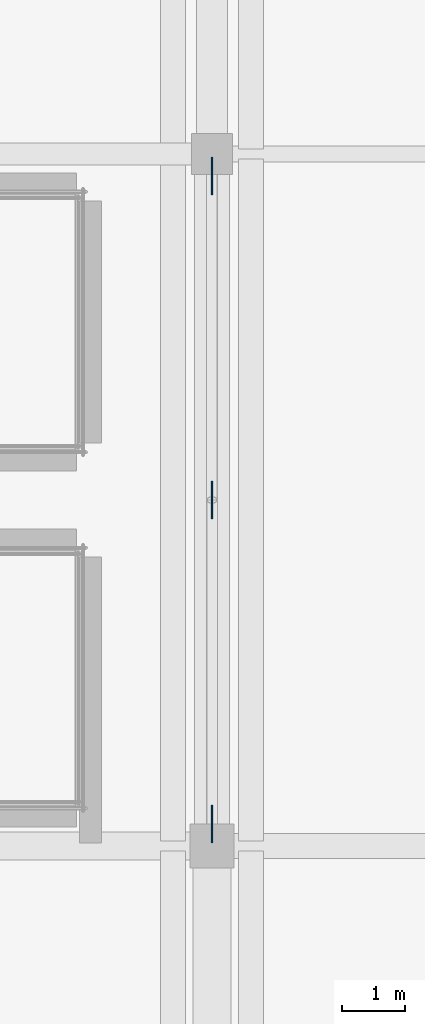
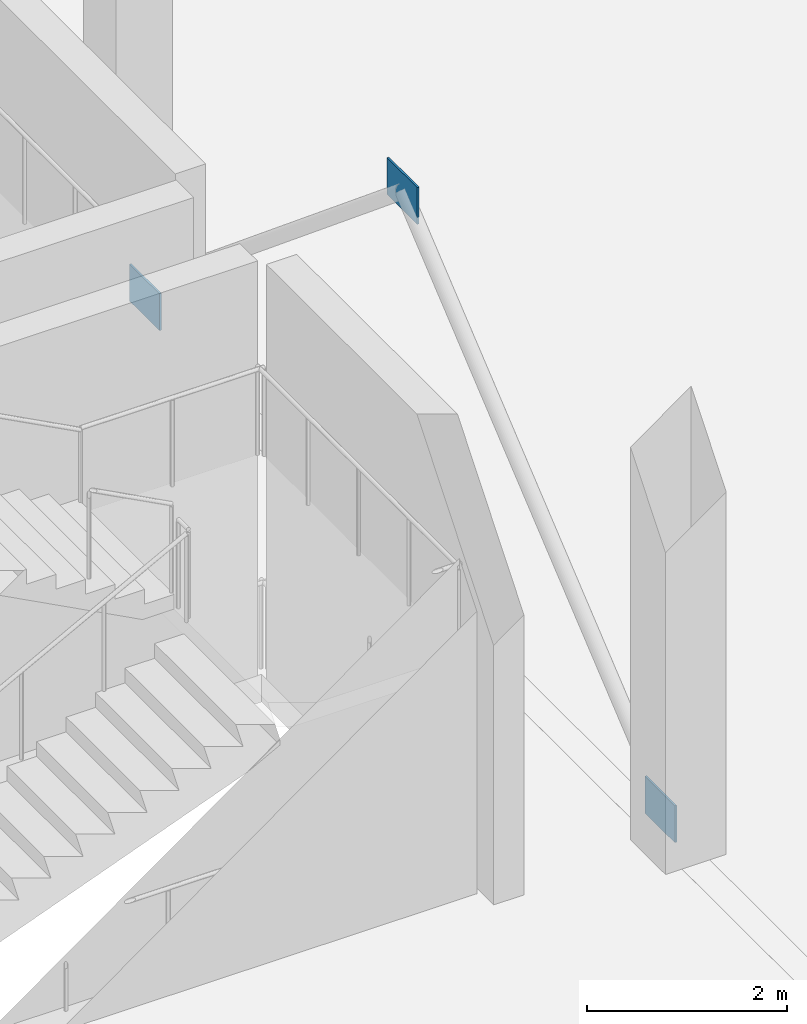
# One storey, part 54 of 120: 3 plates.
"""IFC4 building model written with IfcOpenShell, lengths in metres."""

import ifcopenshell
import ifcopenshell.guid

model = None  # the IFC model being written
_history = None  # IfcOwnerHistory: only IFC2X3 demands one
_inside = {}  # id of a spatial element -> (the spatial element, [elements in it])
_under = {}  # id of a project, library or spatial element -> (it, [spatial elements below it])
_declared = {}  # id of a project -> (the project, [libraries it declares])
_typed = {}  # id of a type object -> (the type object, [elements of that type])
_made_of = {}  # id of a material, layer set ... -> (it, [elements and type objects made of it])


def new_model(schema):
    """Start an empty IFC model of exactly this schema.

    Asked for "IFC4X3", IfcOpenShell would pick the latest addendum, in which some entities
    have other attributes; the version numbers below select the first issue.
    IFC2X3 requires an IfcOwnerHistory on every rooted entity: one is made here for all.
    """
    global model, _history
    if schema == "IFC4X3":
        model = ifcopenshell.file(schema_version=(4, 3, 0, 0))
    else:
        model = ifcopenshell.file(schema=schema)
    _inside.clear()
    _under.clear()
    _declared.clear()
    _typed.clear()
    _made_of.clear()
    _history = None
    if model.schema == "IFC2X3":
        org = make("IfcOrganization", Name="unknown")
        user = make(
            "IfcPersonAndOrganization",
            ThePerson=make("IfcPerson", FamilyName="unknown"),
            TheOrganization=org,
        )
        app = make(
            "IfcApplication",
            ApplicationDeveloper=org,
            Version="unknown",
            ApplicationFullName="unknown",
            ApplicationIdentifier="unknown",
        )
        _history = make(
            "IfcOwnerHistory",
            OwningUser=user,
            OwningApplication=app,
            ChangeAction="ADDED",
            CreationDate=0,
        )
    return model


def make(cls, **values):
    """One entity of the class cls with the attributes given. An attribute that is None is left unset."""
    return model.create_entity(
        cls, **{name: value for name, value in values.items() if value is not None}
    )


def rooted(cls, **values):
    """An entity with a GlobalId (a new one), such as an element, a storey or a relation."""
    return make(cls, GlobalId=ifcopenshell.guid.new(), OwnerHistory=_history, **values)


def si_unit(unit_type, name, prefix=None):
    """IfcSIUnit, for example si_unit("LENGTHUNIT", "METRE", prefix="MILLI")."""
    return make("IfcSIUnit", UnitType=unit_type, Prefix=prefix, Name=name)


def assignment(units):
    """IfcUnitAssignment: the units of a project."""
    return None if units is None else make("IfcUnitAssignment", Units=units)


def point(xyz):
    """IfcCartesianPoint."""
    return None if xyz is None else make("IfcCartesianPoint", Coordinates=xyz)


def direction(xyz):
    """IfcDirection."""
    return None if xyz is None else make("IfcDirection", DirectionRatios=xyz)


def frame(location, z_axis=None, x_axis=None):
    """IfcAxis2Placement3D, a coordinate frame: its origin and axes. An axis left out is left unset."""
    return make(
        "IfcAxis2Placement3D",
        Location=point(location),
        Axis=direction(z_axis),
        RefDirection=direction(x_axis),
    )


def frame_2d(location, x_axis=None):
    """IfcAxis2Placement2D, a coordinate frame in the plane: its origin and x axis."""
    return make(
        "IfcAxis2Placement2D", Location=point(location), RefDirection=direction(x_axis)
    )


def origin():
    """The frame at (0, 0, 0) with its axes left unset."""
    return frame((0.0, 0.0, 0.0))


def origin_2d():
    """The frame at (0, 0) in the plane with its x axis left unset."""
    return frame_2d((0.0, 0.0))


def place(relative_to, where):
    """IfcLocalPlacement: puts the frame where relative to a parent placement (None: the world)."""
    return make(
        "IfcLocalPlacement", PlacementRelTo=relative_to, RelativePlacement=where
    )


def context(
    kind, dimensions, precision=None, world=None, true_north=None, identifier=None
):
    """IfcGeometricRepresentationContext, for example the 3D "Model" context."""
    return make(
        "IfcGeometricRepresentationContext",
        ContextIdentifier=identifier,
        ContextType=kind,
        CoordinateSpaceDimension=dimensions,
        Precision=precision,
        WorldCoordinateSystem=world,
        TrueNorth=true_north,
    )


def subcontext(parent, identifier, kind, view, scale=None):
    """IfcGeometricRepresentationSubContext, for example "Body" below "Model"."""
    return make(
        "IfcGeometricRepresentationSubContext",
        ContextIdentifier=identifier,
        ContextType=kind,
        ParentContext=parent,
        TargetScale=scale,
        TargetView=view,
    )


def project(units=None, contexts=None):
    """IfcProject with its units and contexts."""
    return rooted(
        "IfcProject",
        Name="project",
        RepresentationContexts=contexts,
        UnitsInContext=assignment(units),
    )


def spatial(cls, under=None, at=None, **own):
    """A site, building, storey or space (cls), placed at a placement, below another one or the project."""
    s = rooted(cls, ObjectPlacement=at, **own)
    if under is not None:
        _under.setdefault(under.id(), (under, []))[1].append(s)
    return s


def profile(cls, at=None, kind="AREA", **sizes):
    """A parametric profile (cls). Its sizes go by their IFC names, for example OverallWidth=200.0."""
    return make(cls, ProfileType=kind, Position=at, **sizes)


def rectangle(**sizes):
    """IfcRectangleProfileDef."""
    return profile("IfcRectangleProfileDef", **sizes)


def extrude(swept, where, along, depth):
    """IfcExtrudedAreaSolid: the profile swept, set in the frame where, extruded along a direction by depth."""
    return make(
        "IfcExtrudedAreaSolid",
        SweptArea=swept,
        Position=where,
        ExtrudedDirection=direction(along),
        Depth=depth,
    )


def shape(context_of_items, identifier, shape_type, items):
    """IfcShapeRepresentation: the items that make up one representation, for example the "Body"."""
    return make(
        "IfcShapeRepresentation",
        ContextOfItems=context_of_items,
        RepresentationIdentifier=identifier,
        RepresentationType=shape_type,
        Items=items,
    )


def material(Name=None, Category=None):
    """IfcMaterial."""
    return make("IfcMaterial", Name=Name, Category=Category)


def layer(
    of_material, thickness, ventilated=None, Name=None, Category=None, Priority=None
):
    """IfcMaterialLayer: one layer of a wall or slab, of a material (None: an air gap)."""
    return make(
        "IfcMaterialLayer",
        Material=of_material,
        LayerThickness=thickness,
        IsVentilated=ventilated,
        Name=Name,
        Category=Category,
        Priority=Priority,
    )


def layer_set(layers, Name=None):
    """IfcMaterialLayerSet."""
    return make("IfcMaterialLayerSet", MaterialLayers=layers, LayerSetName=Name)


def made_of(thing, what):
    """Note that an element or type object is made of a material, layer set ...; save() writes the relation."""
    if what is not None:
        _made_of.setdefault(what.id(), (what, []))[1].append(thing)
    return thing


def type_object(cls, material=None, **own):
    """A type object (cls), such as IfcWallType, which elements share."""
    return made_of(rooted(cls, **own), material)


def element(
    cls,
    number,
    at=None,
    inside=None,
    cuts=None,
    type_object=None,
    material=None,
    context=None,
    identifier="Body",
    shape_type=None,
    held_by="IfcProductDefinitionShape",
    body=None,
    shapes=None,
    **own,
):
    """One element of the class cls, such as IfcWall. Its Tag is "e" and its number.

    at: its placement. inside: the storey or other place that contains it. cuts: it is an
    opening in that element (IfcRelVoidsElement). A single representation is given by context,
    identifier, shape_type and body (its items); several are given by shapes. held_by: the class
    of the entity that holds the representations. save() writes the other relations.
    """
    e = rooted(cls, Tag="e%d" % number, ObjectPlacement=at, **own)
    if body is not None:
        shapes = [shape(context, identifier, shape_type, body)]
    if shapes is not None:
        e.Representation = make(held_by, Representations=shapes)
    if inside is not None:
        _inside.setdefault(inside.id(), (inside, []))[1].append(e)
    if cuts is not None:
        rooted(
            "IfcRelVoidsElement", RelatingBuildingElement=cuts, RelatedOpeningElement=e
        )
    if type_object is not None:
        _typed.setdefault(type_object.id(), (type_object, []))[1].append(e)
    return made_of(e, material)


def aggregate(whole, parts):
    """IfcRelAggregates: a whole, such as a stair, and the parts it consists of."""
    return rooted("IfcRelAggregates", RelatingObject=whole, RelatedObjects=parts)


def save(model, path):
    """Write the relations noted so far, then the file.

    IfcRelAggregates (storeys below a building ...), IfcRelContainedInSpatialStructure (elements
    in a storey), IfcRelDefinesByType, IfcRelAssociatesMaterial and IfcRelDeclares: one each for
    every whole, place, type object, material and project.
    """
    for whole, parts in _under.values():
        aggregate(whole, parts)
    for where, things in _inside.values():
        rooted(
            "IfcRelContainedInSpatialStructure",
            RelatedElements=things,
            RelatingStructure=where,
        )
    for kind, things in _typed.values():
        rooted("IfcRelDefinesByType", RelatedObjects=things, RelatingType=kind)
    for what, things in _made_of.values():
        rooted("IfcRelAssociatesMaterial", RelatedObjects=things, RelatingMaterial=what)
    for by, libraries in _declared.values():
        rooted("IfcRelDeclares", RelatingContext=by, RelatedDefinitions=libraries)
    model.write(path)


model = new_model("IFC4")

# Units and contexts
model_context = context("Model", 3, precision=1e-05, world=origin(), true_north=direction((0.0, 1.0)))
body_context = subcontext(model_context, "Body", "Model", "MODEL_VIEW")
ifc_project = project(units=[si_unit("LENGTHUNIT", "METRE"), si_unit("AREAUNIT", "SQUARE_METRE"), si_unit("VOLUMEUNIT", "CUBIC_METRE"), si_unit("PLANEANGLEUNIT", "RADIAN"), si_unit("MASSUNIT", "GRAM", prefix="KILO")], contexts=[model_context])

# Site, building, storey
site_placement = place(None, origin())
site = spatial("IfcSite", under=ifc_project, at=site_placement, CompositionType="ELEMENT")
building_placement = place(site_placement, origin())
building = spatial("IfcBuilding", under=site, at=building_placement, Name="Luwafu Chhajja Arena", CompositionType="ELEMENT")
storey_placement = place(building_placement, origin())
storey = spatial("IfcBuildingStorey", under=building, at=storey_placement, Name="L00", CompositionType="ELEMENT", Elevation=0.0)

# Plates
ifc_material = material(Name="Steel S355", Category="steel")
ifc_layer = layer(ifc_material, 0.02197265625, Name="Steel S355")
ifc_layer_set = layer_set([ifc_layer], Name="Steel S355")
plate_type = type_object("IfcPlateType", Name="Lateral Brace Gusset Plate BN-1", PredefinedType="USERDEFINED", material=ifc_layer_set)
for number, where, z_axis, x_axis, name in (
    (1, (164.0, 82.5, 4.44482421875), (0.0, 0.0, 1.0), (1.0, 0.0, 0.0), "L00 Chevron Apex Gusset Plate BN-1 16"),
    (2, (164.0, 77.35009765625, 0.02490234375), (0.0, 0.0, 1.0), (1.0, 0.0, 0.0), "L00 Brace Base Gusset BN-1 16A"),
    (3, (164.0, 87.64990234375, 0.02490234375), (0.0, 0.0, 1.0), (1.0, 0.0, 0.0), "L00 Brace Base Gusset BN-1 16B"),
):
    element("IfcPlate", number, at=place(storey_placement, frame(where, z_axis=z_axis, x_axis=x_axis)), inside=storey, type_object=plate_type, Name=name, ObjectType="GUSSET PLATE", PredefinedType="USERDEFINED", context=body_context, shape_type="SweptSolid", body=[
        extrude(rectangle(XDim=0.02197265625, YDim=0.60009765625, at=origin_2d()), origin(), (0.0, 0.0, 1.0), 0.449951171875),
    ])

save(model, "model.ifc")
